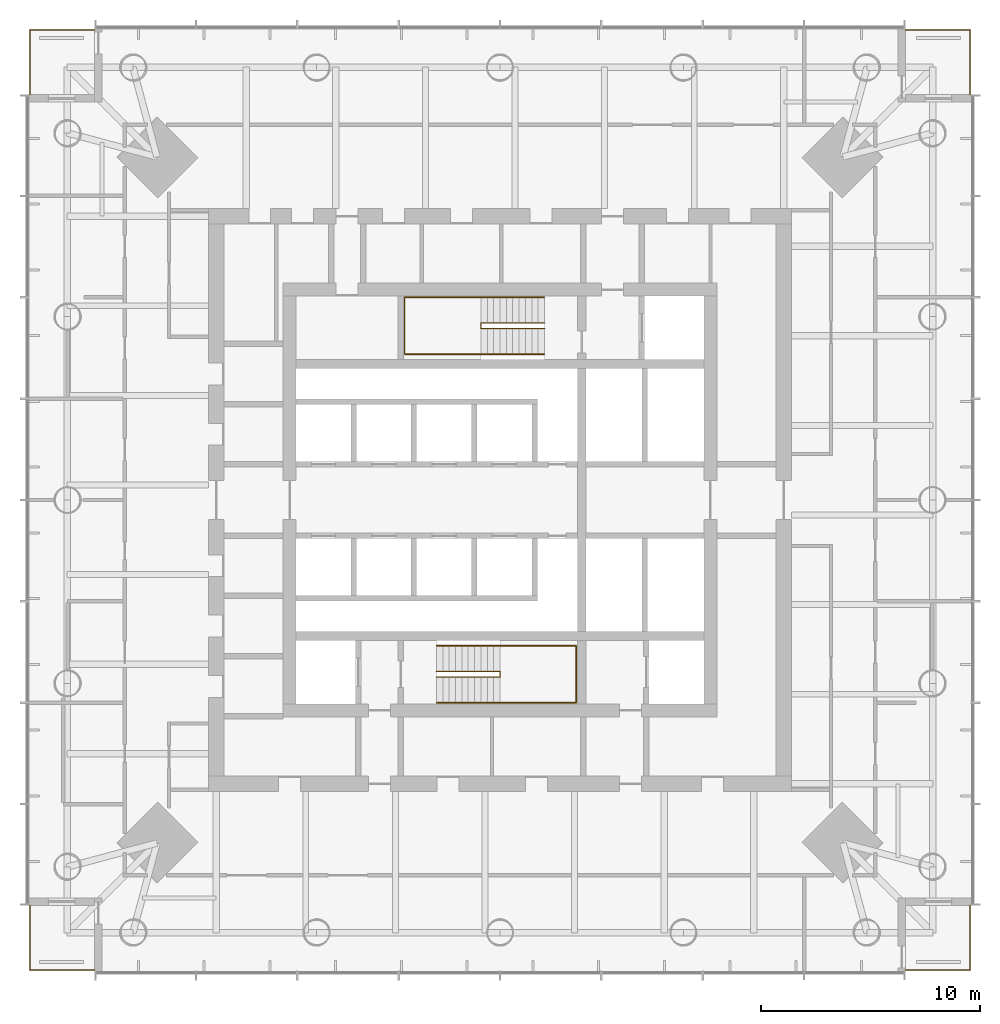
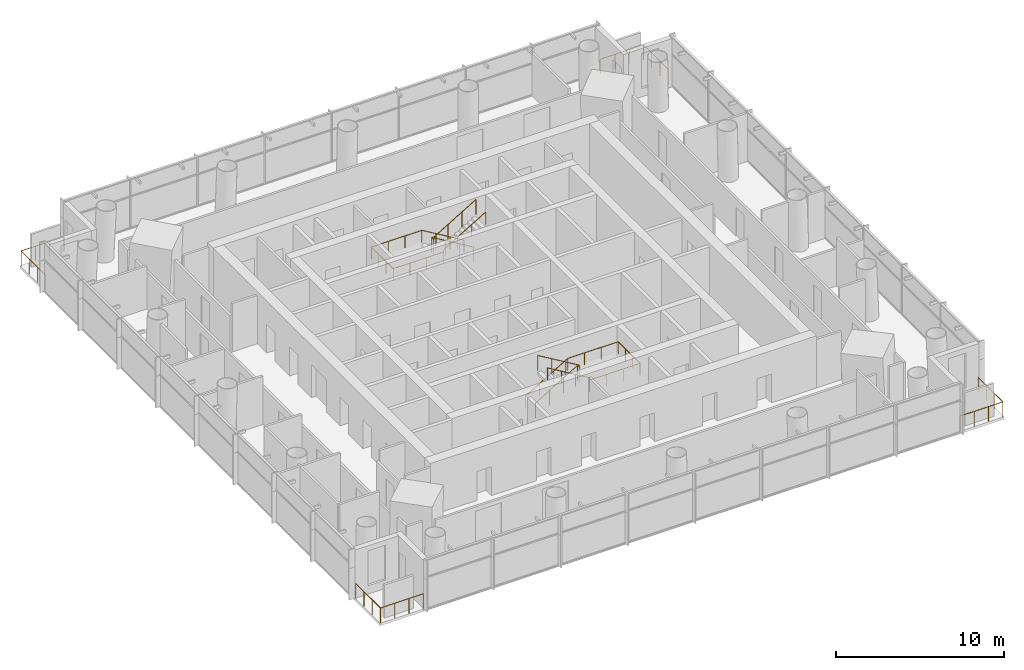
# One storey, part 11 of 11: 8 railings.
"""IFC4 building model written with IfcOpenShell, lengths in metres."""

import ifcopenshell
import ifcopenshell.guid

model = None  # the IFC model being written
_history = None  # IfcOwnerHistory: only IFC2X3 demands one
_inside = {}  # id of a spatial element -> (the spatial element, [elements in it])
_under = {}  # id of a project, library or spatial element -> (it, [spatial elements below it])
_declared = {}  # id of a project -> (the project, [libraries it declares])
_typed = {}  # id of a type object -> (the type object, [elements of that type])
_made_of = {}  # id of a material, layer set ... -> (it, [elements and type objects made of it])


def new_model(schema):
    """Start an empty IFC model of exactly this schema.

    Asked for "IFC4X3", IfcOpenShell would pick the latest addendum, in which some entities
    have other attributes; the version numbers below select the first issue.
    IFC2X3 requires an IfcOwnerHistory on every rooted entity: one is made here for all.
    """
    global model, _history
    if schema == "IFC4X3":
        model = ifcopenshell.file(schema_version=(4, 3, 0, 0))
    else:
        model = ifcopenshell.file(schema=schema)
    _inside.clear()
    _under.clear()
    _declared.clear()
    _typed.clear()
    _made_of.clear()
    _history = None
    if model.schema == "IFC2X3":
        org = make("IfcOrganization", Name="unknown")
        user = make(
            "IfcPersonAndOrganization",
            ThePerson=make("IfcPerson", FamilyName="unknown"),
            TheOrganization=org,
        )
        app = make(
            "IfcApplication",
            ApplicationDeveloper=org,
            Version="unknown",
            ApplicationFullName="unknown",
            ApplicationIdentifier="unknown",
        )
        _history = make(
            "IfcOwnerHistory",
            OwningUser=user,
            OwningApplication=app,
            ChangeAction="ADDED",
            CreationDate=0,
        )
    return model


def make(cls, **values):
    """One entity of the class cls with the attributes given. An attribute that is None is left unset."""
    return model.create_entity(
        cls, **{name: value for name, value in values.items() if value is not None}
    )


def rooted(cls, **values):
    """An entity with a GlobalId (a new one), such as an element, a storey or a relation."""
    return make(cls, GlobalId=ifcopenshell.guid.new(), OwnerHistory=_history, **values)


def si_unit(unit_type, name, prefix=None):
    """IfcSIUnit, for example si_unit("LENGTHUNIT", "METRE", prefix="MILLI")."""
    return make("IfcSIUnit", UnitType=unit_type, Prefix=prefix, Name=name)


def assignment(units):
    """IfcUnitAssignment: the units of a project."""
    return None if units is None else make("IfcUnitAssignment", Units=units)


def point(xyz):
    """IfcCartesianPoint."""
    return None if xyz is None else make("IfcCartesianPoint", Coordinates=xyz)


def direction(xyz):
    """IfcDirection."""
    return None if xyz is None else make("IfcDirection", DirectionRatios=xyz)


def frame(location, z_axis=None, x_axis=None):
    """IfcAxis2Placement3D, a coordinate frame: its origin and axes. An axis left out is left unset."""
    return make(
        "IfcAxis2Placement3D",
        Location=point(location),
        Axis=direction(z_axis),
        RefDirection=direction(x_axis),
    )


def frame_2d(location, x_axis=None):
    """IfcAxis2Placement2D, a coordinate frame in the plane: its origin and x axis."""
    return make(
        "IfcAxis2Placement2D", Location=point(location), RefDirection=direction(x_axis)
    )


def origin():
    """The frame at (0, 0, 0) with its axes left unset."""
    return frame((0.0, 0.0, 0.0))


def origin_2d():
    """The frame at (0, 0) in the plane with its x axis left unset."""
    return frame_2d((0.0, 0.0))


def place(relative_to, where):
    """IfcLocalPlacement: puts the frame where relative to a parent placement (None: the world)."""
    return make(
        "IfcLocalPlacement", PlacementRelTo=relative_to, RelativePlacement=where
    )


def context(
    kind, dimensions, precision=None, world=None, true_north=None, identifier=None
):
    """IfcGeometricRepresentationContext, for example the 3D "Model" context."""
    return make(
        "IfcGeometricRepresentationContext",
        ContextIdentifier=identifier,
        ContextType=kind,
        CoordinateSpaceDimension=dimensions,
        Precision=precision,
        WorldCoordinateSystem=world,
        TrueNorth=true_north,
    )


def subcontext(parent, identifier, kind, view, scale=None):
    """IfcGeometricRepresentationSubContext, for example "Body" below "Model"."""
    return make(
        "IfcGeometricRepresentationSubContext",
        ContextIdentifier=identifier,
        ContextType=kind,
        ParentContext=parent,
        TargetScale=scale,
        TargetView=view,
    )


def project(units=None, contexts=None):
    """IfcProject with its units and contexts."""
    return rooted(
        "IfcProject",
        Name="project",
        RepresentationContexts=contexts,
        UnitsInContext=assignment(units),
    )


def spatial(cls, under=None, at=None, **own):
    """A site, building, storey or space (cls), placed at a placement, below another one or the project."""
    s = rooted(cls, ObjectPlacement=at, **own)
    if under is not None:
        _under.setdefault(under.id(), (under, []))[1].append(s)
    return s


def profile(cls, at=None, kind="AREA", **sizes):
    """A parametric profile (cls). Its sizes go by their IFC names, for example OverallWidth=200.0."""
    return make(cls, ProfileType=kind, Position=at, **sizes)


def circle(**sizes):
    """IfcCircleProfileDef."""
    return profile("IfcCircleProfileDef", **sizes)


def extrude(swept, where, along, depth):
    """IfcExtrudedAreaSolid: the profile swept, set in the frame where, extruded along a direction by depth."""
    return make(
        "IfcExtrudedAreaSolid",
        SweptArea=swept,
        Position=where,
        ExtrudedDirection=direction(along),
        Depth=depth,
    )


def shape(context_of_items, identifier, shape_type, items):
    """IfcShapeRepresentation: the items that make up one representation, for example the "Body"."""
    return make(
        "IfcShapeRepresentation",
        ContextOfItems=context_of_items,
        RepresentationIdentifier=identifier,
        RepresentationType=shape_type,
        Items=items,
    )


def material(Name=None, Category=None):
    """IfcMaterial."""
    return make("IfcMaterial", Name=Name, Category=Category)


def made_of(thing, what):
    """Note that an element or type object is made of a material, layer set ...; save() writes the relation."""
    if what is not None:
        _made_of.setdefault(what.id(), (what, []))[1].append(thing)
    return thing


def type_object(cls, material=None, **own):
    """A type object (cls), such as IfcWallType, which elements share."""
    return made_of(rooted(cls, **own), material)


def element(
    cls,
    number,
    at=None,
    inside=None,
    cuts=None,
    type_object=None,
    material=None,
    context=None,
    identifier="Body",
    shape_type=None,
    held_by="IfcProductDefinitionShape",
    body=None,
    shapes=None,
    **own,
):
    """One element of the class cls, such as IfcWall. Its Tag is "e" and its number.

    at: its placement. inside: the storey or other place that contains it. cuts: it is an
    opening in that element (IfcRelVoidsElement). A single representation is given by context,
    identifier, shape_type and body (its items); several are given by shapes. held_by: the class
    of the entity that holds the representations. save() writes the other relations.
    """
    e = rooted(cls, Tag="e%d" % number, ObjectPlacement=at, **own)
    if body is not None:
        shapes = [shape(context, identifier, shape_type, body)]
    if shapes is not None:
        e.Representation = make(held_by, Representations=shapes)
    if inside is not None:
        _inside.setdefault(inside.id(), (inside, []))[1].append(e)
    if cuts is not None:
        rooted(
            "IfcRelVoidsElement", RelatingBuildingElement=cuts, RelatedOpeningElement=e
        )
    if type_object is not None:
        _typed.setdefault(type_object.id(), (type_object, []))[1].append(e)
    return made_of(e, material)


def aggregate(whole, parts):
    """IfcRelAggregates: a whole, such as a stair, and the parts it consists of."""
    return rooted("IfcRelAggregates", RelatingObject=whole, RelatedObjects=parts)


def save(model, path):
    """Write the relations noted so far, then the file.

    IfcRelAggregates (storeys below a building ...), IfcRelContainedInSpatialStructure (elements
    in a storey), IfcRelDefinesByType, IfcRelAssociatesMaterial and IfcRelDeclares: one each for
    every whole, place, type object, material and project.
    """
    for whole, parts in _under.values():
        aggregate(whole, parts)
    for where, things in _inside.values():
        rooted(
            "IfcRelContainedInSpatialStructure",
            RelatedElements=things,
            RelatingStructure=where,
        )
    for kind, things in _typed.values():
        rooted("IfcRelDefinesByType", RelatedObjects=things, RelatingType=kind)
    for what, things in _made_of.values():
        rooted("IfcRelAssociatesMaterial", RelatedObjects=things, RelatingMaterial=what)
    for by, libraries in _declared.values():
        rooted("IfcRelDeclares", RelatingContext=by, RelatedDefinitions=libraries)
    model.write(path)


model = new_model("IFC4")

# Units and contexts
model_context = context("Model", 3, precision=1e-05, world=origin(), true_north=direction((0.0, 1.0)))
body_context = subcontext(model_context, "Body", "Model", "MODEL_VIEW")
ifc_project = project(units=[si_unit("LENGTHUNIT", "METRE"), si_unit("AREAUNIT", "SQUARE_METRE"), si_unit("VOLUMEUNIT", "CUBIC_METRE"), si_unit("PLANEANGLEUNIT", "RADIAN"), si_unit("MASSUNIT", "GRAM", prefix="KILO")], contexts=[model_context])

# Site, building, storey
site_placement = place(None, origin())
site = spatial("IfcSite", under=ifc_project, at=site_placement, CompositionType="ELEMENT")
building_placement = place(site_placement, origin())
building = spatial("IfcBuilding", under=site, at=building_placement, Name="Ostroluk Exchange", CompositionType="ELEMENT")
storey_placement = place(building_placement, frame((0.0, 0.0, 154.0)))
storey = spatial("IfcBuildingStorey", under=building, at=storey_placement, Name="L39", CompositionType="ELEMENT", Elevation=154.0)

# Railings
ifc_material_1 = material(Name="Stainless steel", Category="steel")
railing_type_1 = type_object("IfcRailingType", Name="Guard 1100 stainless steel", PredefinedType="GUARDRAIL", material=ifc_material_1)
railing_1_placement = place(storey_placement, frame((63.5, 24.550048828125, 0.0)))
element("IfcRailing", 1, at=railing_1_placement, inside=storey, type_object=railing_type_1, Name="Office tower SE balcony guard L39", PredefinedType="GUARDRAIL", context=body_context, shape_type="SweptSolid", body=[
    extrude(circle(Radius=0.02392578125, at=origin_2d()), frame((0.0, 0.0, 1.076171875), z_axis=(1.0, 0.0, 0.0), x_axis=(0.0, 1.0, 0.0)), (0.0, 0.0, 1.0), 2.949951171875),
    extrude(circle(Radius=0.02392578125, at=origin_2d()), frame((2.949951171875, 0.0, 1.076171875), z_axis=(0.0, 1.0, 0.0), x_axis=(-1.0, 0.0, 0.0)), (0.0, 0.0, 1.0), 2.949951171875),
    extrude(circle(Radius=0.02099609375, at=origin_2d()), origin(), (0.0, 0.0, 1.0), 1.052001953125),
    extrude(circle(Radius=0.02099609375, at=origin_2d()), frame((0.9833984375, 0.0, 0.0)), (0.0, 0.0, 1.0), 1.052001953125),
    extrude(circle(Radius=0.02099609375, at=origin_2d()), frame((1.966552734375, 0.0, 0.0)), (0.0, 0.0, 1.0), 1.052001953125),
    extrude(circle(Radius=0.02099609375, at=origin_2d()), frame((2.949951171875, 0.0, 0.0)), (0.0, 0.0, 1.0), 1.052001953125),
    extrude(circle(Radius=0.02099609375, at=origin_2d()), frame((2.949951171875, 0.9833984375, 0.0)), (0.0, 0.0, 1.0), 1.052001953125),
    extrude(circle(Radius=0.02099609375, at=origin_2d()), frame((2.949951171875, 1.966552734375, 0.0)), (0.0, 0.0, 1.0), 1.052001953125),
    extrude(circle(Radius=0.02099609375, at=origin_2d()), frame((2.949951171875, 2.949951171875, 0.0)), (0.0, 0.0, 1.0), 1.052001953125),
])
railing_2_placement = place(storey_placement, frame((63.5, 67.449951171875, 0.0)))
element("IfcRailing", 2, at=railing_2_placement, inside=storey, type_object=railing_type_1, Name="Office tower NE balcony guard L39", PredefinedType="GUARDRAIL", context=body_context, shape_type="SweptSolid", body=[
    extrude(circle(Radius=0.02392578125, at=origin_2d()), frame((0.0, 0.0, 1.076171875), z_axis=(1.0, 0.0, 0.0), x_axis=(0.0, 1.0, 0.0)), (0.0, 0.0, 1.0), 2.949951171875),
    extrude(circle(Radius=0.02392578125, at=origin_2d()), frame((2.949951171875, 0.0, 1.076171875), z_axis=(0.0, -1.0, 0.0), x_axis=(1.0, 0.0, 0.0)), (0.0, 0.0, 1.0), 2.949951171875),
    extrude(circle(Radius=0.02099609375, at=origin_2d()), origin(), (0.0, 0.0, 1.0), 1.052001953125),
    extrude(circle(Radius=0.02099609375, at=origin_2d()), frame((0.9833984375, 0.0, 0.0)), (0.0, 0.0, 1.0), 1.052001953125),
    extrude(circle(Radius=0.02099609375, at=origin_2d()), frame((1.966552734375, 0.0, 0.0)), (0.0, 0.0, 1.0), 1.052001953125),
    extrude(circle(Radius=0.02099609375, at=origin_2d()), frame((2.949951171875, 0.0, 0.0)), (0.0, 0.0, 1.0), 1.052001953125),
    extrude(circle(Radius=0.02099609375, at=origin_2d()), frame((2.949951171875, -0.9833984375, 0.0)), (0.0, 0.0, 1.0), 1.052001953125),
    extrude(circle(Radius=0.02099609375, at=origin_2d()), frame((2.949951171875, -1.966552734375, 0.0)), (0.0, 0.0, 1.0), 1.052001953125),
    extrude(circle(Radius=0.02099609375, at=origin_2d()), frame((2.949951171875, -2.949951171875, 0.0)), (0.0, 0.0, 1.0), 1.052001953125),
])
railing_3_placement = place(storey_placement, frame((26.5, 67.449951171875, 0.0)))
element("IfcRailing", 3, at=railing_3_placement, inside=storey, type_object=railing_type_1, Name="Office tower NW balcony guard L39", PredefinedType="GUARDRAIL", context=body_context, shape_type="SweptSolid", body=[
    extrude(circle(Radius=0.02392578125, at=origin_2d()), frame((0.0, 0.0, 1.076171875), z_axis=(-1.0, 0.0, 0.0), x_axis=(0.0, -1.0, 0.0)), (0.0, 0.0, 1.0), 2.949951171875),
    extrude(circle(Radius=0.02392578125, at=origin_2d()), frame((-2.949951171875, 0.0, 1.076171875), z_axis=(0.0, -1.0, 0.0), x_axis=(1.0, 0.0, 0.0)), (0.0, 0.0, 1.0), 2.949951171875),
    extrude(circle(Radius=0.02099609375, at=origin_2d()), origin(), (0.0, 0.0, 1.0), 1.052001953125),
    extrude(circle(Radius=0.02099609375, at=origin_2d()), frame((-0.9833984375, 0.0, 0.0)), (0.0, 0.0, 1.0), 1.052001953125),
    extrude(circle(Radius=0.02099609375, at=origin_2d()), frame((-1.966552734375, 0.0, 0.0)), (0.0, 0.0, 1.0), 1.052001953125),
    extrude(circle(Radius=0.02099609375, at=origin_2d()), frame((-2.949951171875, 0.0, 0.0)), (0.0, 0.0, 1.0), 1.052001953125),
    extrude(circle(Radius=0.02099609375, at=origin_2d()), frame((-2.949951171875, -0.9833984375, 0.0)), (0.0, 0.0, 1.0), 1.052001953125),
    extrude(circle(Radius=0.02099609375, at=origin_2d()), frame((-2.949951171875, -1.966552734375, 0.0)), (0.0, 0.0, 1.0), 1.052001953125),
    extrude(circle(Radius=0.02099609375, at=origin_2d()), frame((-2.949951171875, -2.949951171875, 0.0)), (0.0, 0.0, 1.0), 1.052001953125),
])
railing_4_placement = place(storey_placement, frame((26.5, 24.550048828125, 0.0)))
element("IfcRailing", 4, at=railing_4_placement, inside=storey, type_object=railing_type_1, Name="Office tower SW balcony guard L39", PredefinedType="GUARDRAIL", context=body_context, shape_type="SweptSolid", body=[
    extrude(circle(Radius=0.02392578125, at=origin_2d()), frame((0.0, 0.0, 1.076171875), z_axis=(-1.0, 0.0, 0.0), x_axis=(0.0, -1.0, 0.0)), (0.0, 0.0, 1.0), 2.949951171875),
    extrude(circle(Radius=0.02392578125, at=origin_2d()), frame((-2.949951171875, 0.0, 1.076171875), z_axis=(0.0, 1.0, 0.0), x_axis=(-1.0, 0.0, 0.0)), (0.0, 0.0, 1.0), 2.949951171875),
    extrude(circle(Radius=0.02099609375, at=origin_2d()), origin(), (0.0, 0.0, 1.0), 1.052001953125),
    extrude(circle(Radius=0.02099609375, at=origin_2d()), frame((-0.9833984375, 0.0, 0.0)), (0.0, 0.0, 1.0), 1.052001953125),
    extrude(circle(Radius=0.02099609375, at=origin_2d()), frame((-1.966552734375, 0.0, 0.0)), (0.0, 0.0, 1.0), 1.052001953125),
    extrude(circle(Radius=0.02099609375, at=origin_2d()), frame((-2.949951171875, 0.0, 0.0)), (0.0, 0.0, 1.0), 1.052001953125),
    extrude(circle(Radius=0.02099609375, at=origin_2d()), frame((-2.949951171875, 0.9833984375, 0.0)), (0.0, 0.0, 1.0), 1.052001953125),
    extrude(circle(Radius=0.02099609375, at=origin_2d()), frame((-2.949951171875, 1.966552734375, 0.0)), (0.0, 0.0, 1.0), 1.052001953125),
    extrude(circle(Radius=0.02099609375, at=origin_2d()), frame((-2.949951171875, 2.949951171875, 0.0)), (0.0, 0.0, 1.0), 1.052001953125),
])
ifc_material_2 = material(Name="Steel S355", Category="steel")
railing_type_2 = type_object("IfcRailingType", Name="Stair guard 1100", PredefinedType="GUARDRAIL", material=ifc_material_2)
railing_5_placement = place(storey_placement, frame((42.10009765625, 38.179931640625, 0.172607421875)))
element("IfcRailing", 5, at=railing_5_placement, inside=storey, type_object=railing_type_2, Name="Stair T1-S1 guard L39", PredefinedType="GUARDRAIL", context=body_context, shape_type="SweptSolid", body=[
    extrude(circle(Radius=0.02392578125, at=origin_2d()), frame((0.0, 0.0, 1.076171875), z_axis=(0.859141464434, 0.0, 0.511738159696), x_axis=(0.0, 1.0, 0.0)), (0.0, 0.0, 1.0), 3.375244140625),
    extrude(circle(Radius=0.02392578125, at=origin_2d()), frame((2.89990234375, 0.0, 2.80322265625), z_axis=(0.0, -1.0, 0.0), x_axis=(1.0, 0.0, 0.0)), (0.0, 0.0, 1.0), 0.260009765625),
    extrude(circle(Radius=0.02392578125, at=origin_2d()), frame((2.89990234375, -0.260009765625, 2.80322265625), z_axis=(0.0, 0.0, 1.0), x_axis=(1.0, 0.0, 0.0)), (0.0, 0.0, 1.0), 0.1728515625),
    extrude(circle(Radius=0.02392578125, at=origin_2d()), frame((2.89990234375, -0.260009765625, 2.97607421875), z_axis=(-0.859141464434, 0.0, 0.511738159696), x_axis=(0.0, -1.0, 0.0)), (0.0, 0.0, 1.0), 3.375244140625),
    extrude(circle(Radius=0.02099609375, at=origin_2d()), origin(), (0.0, 0.0, 1.0), 1.052001953125),
    extrude(circle(Radius=0.02099609375, at=origin_2d()), frame((0.966552734375, 0.0, 0.57568359375)), (0.0, 0.0, 1.0), 1.052001953125),
    extrude(circle(Radius=0.02099609375, at=origin_2d()), frame((1.933349609375, 0.0, 1.151611328125)), (0.0, 0.0, 1.0), 1.052001953125),
    extrude(circle(Radius=0.02099609375, at=origin_2d()), frame((2.89990234375, 0.0, 1.727294921875)), (0.0, 0.0, 1.0), 1.052001953125),
    extrude(circle(Radius=0.02099609375, at=origin_2d()), frame((2.89990234375, -0.260009765625, 1.727294921875)), (0.0, 0.0, 1.0), 1.052001953125),
    extrude(circle(Radius=0.02099609375, at=origin_2d()), frame((2.89990234375, -0.260009765625, 1.900146484375)), (0.0, 0.0, 1.0), 1.052001953125),
    extrude(circle(Radius=0.02099609375, at=origin_2d()), frame((1.933349609375, -0.260009765625, 2.475830078125)), (0.0, 0.0, 1.0), 1.052001953125),
    extrude(circle(Radius=0.02099609375, at=origin_2d()), frame((0.966552734375, -0.260009765625, 3.0517578125)), (0.0, 0.0, 1.0), 1.052001953125),
    extrude(circle(Radius=0.02099609375, at=origin_2d()), frame((0.0, -0.260009765625, 3.62744140625)), (0.0, 0.0, 1.0), 1.052001953125),
])
railing_6_placement = place(storey_placement, frame((47.030029296875, 54.080078125, 0.172607421875)))
element("IfcRailing", 6, at=railing_6_placement, inside=storey, type_object=railing_type_2, Name="Stair T1-S2 guard L39", PredefinedType="GUARDRAIL", context=body_context, shape_type="SweptSolid", body=[
    extrude(circle(Radius=0.02392578125, at=origin_2d()), frame((0.0, 0.0, 1.076171875), z_axis=(-0.859160404282, 0.0, 0.51170636083), x_axis=(0.0, -1.0, 0.0)), (0.0, 0.0, 1.0), 3.37548828125),
    extrude(circle(Radius=0.02392578125, at=origin_2d()), frame((-2.900146484375, 0.0, 2.80322265625), z_axis=(0.0, -1.0, 0.0), x_axis=(1.0, 0.0, 0.0)), (0.0, 0.0, 1.0), 0.260009765625),
    extrude(circle(Radius=0.02392578125, at=origin_2d()), frame((-2.900146484375, -0.260009765625, 2.80322265625), z_axis=(0.0, 0.0, 1.0), x_axis=(1.0, 0.0, 0.0)), (0.0, 0.0, 1.0), 0.1728515625),
    extrude(circle(Radius=0.02392578125, at=origin_2d()), frame((-2.900146484375, -0.260009765625, 2.97607421875), z_axis=(0.859160404282, 0.0, 0.51170636083), x_axis=(0.0, 1.0, 0.0)), (0.0, 0.0, 1.0), 3.37548828125),
    extrude(circle(Radius=0.02099609375, at=origin_2d()), origin(), (0.0, 0.0, 1.0), 1.052001953125),
    extrude(circle(Radius=0.02099609375, at=origin_2d()), frame((-0.966796875, 0.0, 0.57568359375)), (0.0, 0.0, 1.0), 1.052001953125),
    extrude(circle(Radius=0.02099609375, at=origin_2d()), frame((-1.933349609375, 0.0, 1.151611328125)), (0.0, 0.0, 1.0), 1.052001953125),
    extrude(circle(Radius=0.02099609375, at=origin_2d()), frame((-2.900146484375, 0.0, 1.727294921875)), (0.0, 0.0, 1.0), 1.052001953125),
    extrude(circle(Radius=0.02099609375, at=origin_2d()), frame((-2.900146484375, -0.260009765625, 1.727294921875)), (0.0, 0.0, 1.0), 1.052001953125),
    extrude(circle(Radius=0.02099609375, at=origin_2d()), frame((-2.900146484375, -0.260009765625, 1.900146484375)), (0.0, 0.0, 1.0), 1.052001953125),
    extrude(circle(Radius=0.02099609375, at=origin_2d()), frame((-1.933349609375, -0.260009765625, 2.475830078125)), (0.0, 0.0, 1.0), 1.052001953125),
    extrude(circle(Radius=0.02099609375, at=origin_2d()), frame((-0.966796875, -0.260009765625, 3.0517578125)), (0.0, 0.0, 1.0), 1.052001953125),
    extrude(circle(Radius=0.02099609375, at=origin_2d()), frame((0.0, -0.260009765625, 3.62744140625)), (0.0, 0.0, 1.0), 1.052001953125),
])
ifc_material_3 = material(Name="Stainless steel", Category="steel")
railing_type_3 = type_object("IfcRailingType", Name="Stair handrail 900", PredefinedType="HANDRAIL", material=ifc_material_3)
railing_7_placement = place(storey_placement, frame((42.10009765625, 39.35009765625, 0.172607421875)))
element("IfcRailing", 7, at=railing_7_placement, inside=storey, type_object=railing_type_3, Name="Stair T1-S1 handrail L39", PredefinedType="HANDRAIL", context=body_context, shape_type="SweptSolid", body=[
    extrude(circle(Radius=0.02392578125, at=origin_2d()), frame((0.0, 0.0, 0.8759765625), z_axis=(0.859141464434, 0.0, 0.511738159696), x_axis=(0.0, 1.0, 0.0)), (0.0, 0.0, 1.0), 3.375244140625),
    extrude(circle(Radius=0.02392578125, at=origin_2d()), frame((2.89990234375, 0.0, 2.60302734375), z_axis=(1.0, 0.0, 0.0), x_axis=(0.0, 1.0, 0.0)), (0.0, 0.0, 1.0), 3.47998046875),
    extrude(circle(Radius=0.02392578125, at=origin_2d()), frame((6.3798828125, 0.0, 2.60302734375), z_axis=(0.0, -1.0, 0.0), x_axis=(1.0, 0.0, 0.0)), (0.0, 0.0, 1.0), 2.60009765625),
    extrude(circle(Radius=0.02392578125, at=origin_2d()), frame((6.3798828125, -2.60009765625, 2.60302734375), z_axis=(-1.0, 0.0, 0.0), x_axis=(0.0, -1.0, 0.0)), (0.0, 0.0, 1.0), 3.47998046875),
    extrude(circle(Radius=0.02392578125, at=origin_2d()), frame((2.89990234375, -2.60009765625, 2.60302734375), z_axis=(0.0, 0.0, 1.0), x_axis=(1.0, 0.0, 0.0)), (0.0, 0.0, 1.0), 0.1728515625),
    extrude(circle(Radius=0.02392578125, at=origin_2d()), frame((2.89990234375, -2.60009765625, 2.77587890625), z_axis=(-0.859141464434, 0.0, 0.511738159696), x_axis=(0.0, -1.0, 0.0)), (0.0, 0.0, 1.0), 3.375244140625),
    extrude(circle(Radius=0.02099609375, at=origin_2d()), origin(), (0.0, 0.0, 1.0), 0.851806640625),
    extrude(circle(Radius=0.02099609375, at=origin_2d()), frame((0.966552734375, 0.0, 0.57568359375)), (0.0, 0.0, 1.0), 0.851806640625),
    extrude(circle(Radius=0.02099609375, at=origin_2d()), frame((1.933349609375, 0.0, 1.151611328125)), (0.0, 0.0, 1.0), 0.851806640625),
    extrude(circle(Radius=0.02099609375, at=origin_2d()), frame((2.89990234375, 0.0, 1.727294921875)), (0.0, 0.0, 1.0), 0.851806640625),
    extrude(circle(Radius=0.02099609375, at=origin_2d()), frame((4.059814453125, 0.0, 1.727294921875)), (0.0, 0.0, 1.0), 0.851806640625),
    extrude(circle(Radius=0.02099609375, at=origin_2d()), frame((5.219970703125, 0.0, 1.727294921875)), (0.0, 0.0, 1.0), 0.851806640625),
    extrude(circle(Radius=0.02099609375, at=origin_2d()), frame((6.3798828125, 0.0, 1.727294921875)), (0.0, 0.0, 1.0), 0.851806640625),
    extrude(circle(Radius=0.02099609375, at=origin_2d()), frame((6.3798828125, -0.86669921875, 1.727294921875)), (0.0, 0.0, 1.0), 0.851806640625),
    extrude(circle(Radius=0.02099609375, at=origin_2d()), frame((6.3798828125, -1.7333984375, 1.727294921875)), (0.0, 0.0, 1.0), 0.851806640625),
    extrude(circle(Radius=0.02099609375, at=origin_2d()), frame((6.3798828125, -2.60009765625, 1.727294921875)), (0.0, 0.0, 1.0), 0.851806640625),
    extrude(circle(Radius=0.02099609375, at=origin_2d()), frame((5.219970703125, -2.60009765625, 1.727294921875)), (0.0, 0.0, 1.0), 0.851806640625),
    extrude(circle(Radius=0.02099609375, at=origin_2d()), frame((4.059814453125, -2.60009765625, 1.727294921875)), (0.0, 0.0, 1.0), 0.851806640625),
    extrude(circle(Radius=0.02099609375, at=origin_2d()), frame((2.89990234375, -2.60009765625, 1.727294921875)), (0.0, 0.0, 1.0), 0.851806640625),
    extrude(circle(Radius=0.02099609375, at=origin_2d()), frame((2.89990234375, -2.60009765625, 1.900146484375)), (0.0, 0.0, 1.0), 0.851806640625),
    extrude(circle(Radius=0.02099609375, at=origin_2d()), frame((1.933349609375, -2.60009765625, 2.475830078125)), (0.0, 0.0, 1.0), 0.851806640625),
    extrude(circle(Radius=0.02099609375, at=origin_2d()), frame((0.966552734375, -2.60009765625, 3.0517578125)), (0.0, 0.0, 1.0), 0.851806640625),
    extrude(circle(Radius=0.02099609375, at=origin_2d()), frame((0.0, -2.60009765625, 3.62744140625)), (0.0, 0.0, 1.0), 0.851806640625),
])
railing_8_placement = place(storey_placement, frame((47.030029296875, 55.25, 0.172607421875)))
element("IfcRailing", 8, at=railing_8_placement, inside=storey, type_object=railing_type_3, Name="Stair T1-S2 handrail L39", PredefinedType="HANDRAIL", context=body_context, shape_type="SweptSolid", body=[
    extrude(circle(Radius=0.02392578125, at=origin_2d()), frame((0.0, 0.0, 0.8759765625), z_axis=(-0.859160404282, 0.0, 0.51170636083), x_axis=(0.0, -1.0, 0.0)), (0.0, 0.0, 1.0), 3.37548828125),
    extrude(circle(Radius=0.02392578125, at=origin_2d()), frame((-2.900146484375, 0.0, 2.60302734375), z_axis=(-1.0, 0.0, 0.0), x_axis=(0.0, -1.0, 0.0)), (0.0, 0.0, 1.0), 3.47998046875),
    extrude(circle(Radius=0.02392578125, at=origin_2d()), frame((-6.380126953125, 0.0, 2.60302734375), z_axis=(0.0, -1.0, 0.0), x_axis=(1.0, 0.0, 0.0)), (0.0, 0.0, 1.0), 2.60009765625),
    extrude(circle(Radius=0.02392578125, at=origin_2d()), frame((-6.380126953125, -2.60009765625, 2.60302734375), z_axis=(1.0, 0.0, 0.0), x_axis=(0.0, 1.0, 0.0)), (0.0, 0.0, 1.0), 3.47998046875),
    extrude(circle(Radius=0.02392578125, at=origin_2d()), frame((-2.900146484375, -2.60009765625, 2.60302734375), z_axis=(0.0, 0.0, 1.0), x_axis=(1.0, 0.0, 0.0)), (0.0, 0.0, 1.0), 0.1728515625),
    extrude(circle(Radius=0.02392578125, at=origin_2d()), frame((-2.900146484375, -2.60009765625, 2.77587890625), z_axis=(0.859160404282, 0.0, 0.51170636083), x_axis=(0.0, 1.0, 0.0)), (0.0, 0.0, 1.0), 3.37548828125),
    extrude(circle(Radius=0.02099609375, at=origin_2d()), origin(), (0.0, 0.0, 1.0), 0.851806640625),
    extrude(circle(Radius=0.02099609375, at=origin_2d()), frame((-0.966796875, 0.0, 0.57568359375)), (0.0, 0.0, 1.0), 0.851806640625),
    extrude(circle(Radius=0.02099609375, at=origin_2d()), frame((-1.933349609375, 0.0, 1.151611328125)), (0.0, 0.0, 1.0), 0.851806640625),
    extrude(circle(Radius=0.02099609375, at=origin_2d()), frame((-2.900146484375, 0.0, 1.727294921875)), (0.0, 0.0, 1.0), 0.851806640625),
    extrude(circle(Radius=0.02099609375, at=origin_2d()), frame((-4.06005859375, 0.0, 1.727294921875)), (0.0, 0.0, 1.0), 0.851806640625),
    extrude(circle(Radius=0.02099609375, at=origin_2d()), frame((-5.22021484375, 0.0, 1.727294921875)), (0.0, 0.0, 1.0), 0.851806640625),
    extrude(circle(Radius=0.02099609375, at=origin_2d()), frame((-6.380126953125, 0.0, 1.727294921875)), (0.0, 0.0, 1.0), 0.851806640625),
    extrude(circle(Radius=0.02099609375, at=origin_2d()), frame((-6.380126953125, -0.86669921875, 1.727294921875)), (0.0, 0.0, 1.0), 0.851806640625),
    extrude(circle(Radius=0.02099609375, at=origin_2d()), frame((-6.380126953125, -1.7333984375, 1.727294921875)), (0.0, 0.0, 1.0), 0.851806640625),
    extrude(circle(Radius=0.02099609375, at=origin_2d()), frame((-6.380126953125, -2.60009765625, 1.727294921875)), (0.0, 0.0, 1.0), 0.851806640625),
    extrude(circle(Radius=0.02099609375, at=origin_2d()), frame((-5.22021484375, -2.60009765625, 1.727294921875)), (0.0, 0.0, 1.0), 0.851806640625),
    extrude(circle(Radius=0.02099609375, at=origin_2d()), frame((-4.06005859375, -2.60009765625, 1.727294921875)), (0.0, 0.0, 1.0), 0.851806640625),
    extrude(circle(Radius=0.02099609375, at=origin_2d()), frame((-2.900146484375, -2.60009765625, 1.727294921875)), (0.0, 0.0, 1.0), 0.851806640625),
    extrude(circle(Radius=0.02099609375, at=origin_2d()), frame((-2.900146484375, -2.60009765625, 1.900146484375)), (0.0, 0.0, 1.0), 0.851806640625),
    extrude(circle(Radius=0.02099609375, at=origin_2d()), frame((-1.933349609375, -2.60009765625, 2.475830078125)), (0.0, 0.0, 1.0), 0.851806640625),
    extrude(circle(Radius=0.02099609375, at=origin_2d()), frame((-0.966796875, -2.60009765625, 3.0517578125)), (0.0, 0.0, 1.0), 0.851806640625),
    extrude(circle(Radius=0.02099609375, at=origin_2d()), frame((0.0, -2.60009765625, 3.62744140625)), (0.0, 0.0, 1.0), 0.851806640625),
])

save(model, "model.ifc")
